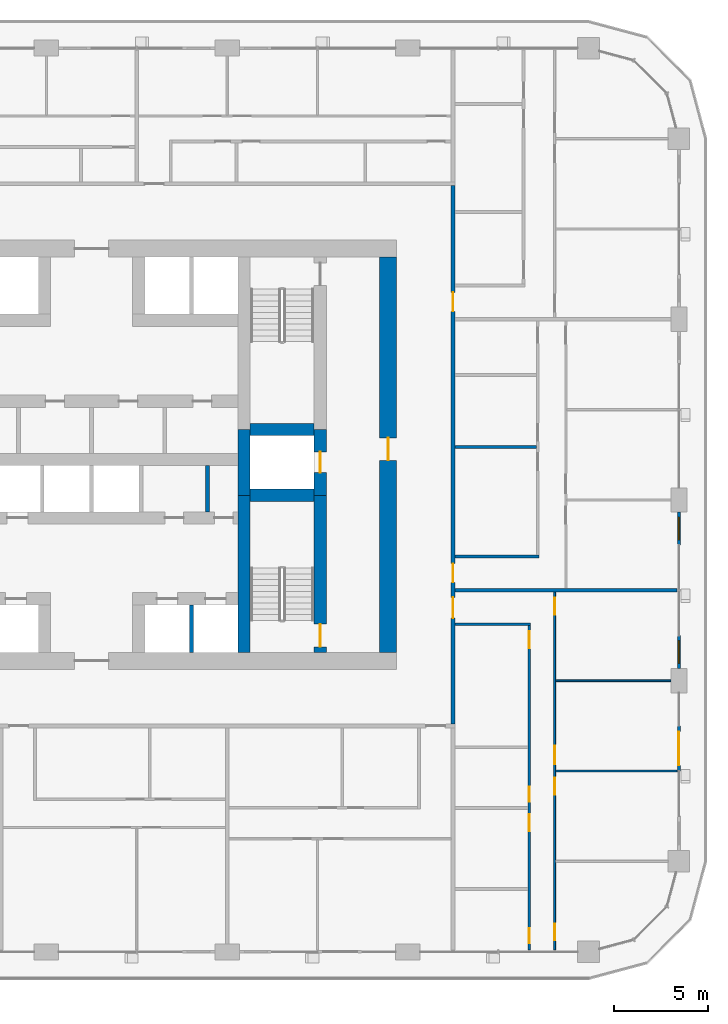
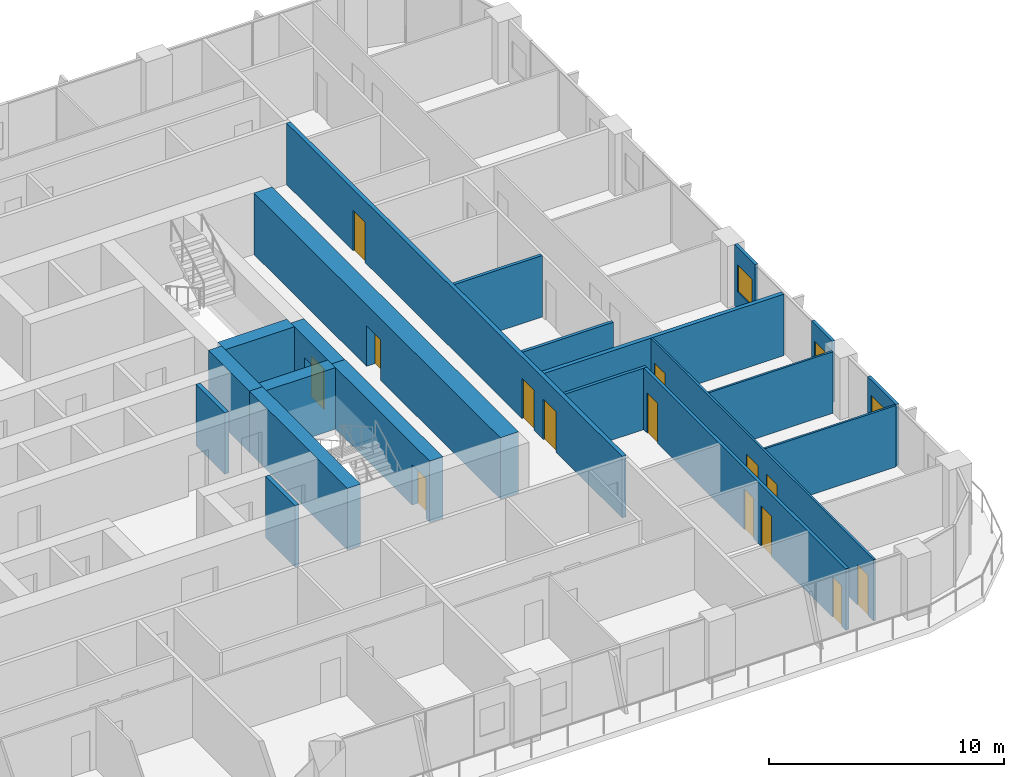
# One storey, part 12 of 22: 21 walls, 15 doors, 2 windows, 17 openings.
"""IFC4 building model written with IfcOpenShell, lengths in metres."""

from ifc_helpers import new_model, si_unit, direction, frame, frame_2d, origin, place, context, subcontext, project, spatial, rectangle, extrude, material, layer, layer_set, type_object, element, fill, save


model = new_model("IFC4")

# Units and contexts
model_context = context("Model", 3, precision=1e-05, world=origin(), true_north=direction((0.0, 1.0)))
body_context = subcontext(model_context, "Body", "Model", "MODEL_VIEW")
ifc_project = project(units=[si_unit("LENGTHUNIT", "METRE"), si_unit("AREAUNIT", "SQUARE_METRE"), si_unit("VOLUMEUNIT", "CUBIC_METRE"), si_unit("PLANEANGLEUNIT", "RADIAN"), si_unit("MASSUNIT", "GRAM", prefix="KILO")], contexts=[model_context])

# Site, building, storey
site_placement = place(None, origin())
site = spatial("IfcSite", under=ifc_project, at=site_placement, CompositionType="ELEMENT")
building_placement = place(site_placement, origin())
building = spatial("IfcBuilding", under=site, at=building_placement, Name="Madar Terraces", CompositionType="ELEMENT")
storey_placement = place(building_placement, frame((0.0, 0.0, 69.800048828125)))
storey = spatial("IfcBuildingStorey", under=building, at=storey_placement, Name="L17", CompositionType="ELEMENT", Elevation=69.800048828125)

# Walls
ifc_material_1 = material(Name="Concrete C80/95", Category="concrete")
ifc_layer_1 = layer(ifc_material_1, 0.64990234375)
ifc_layer_set_1 = layer_set([ifc_layer_1], Name="Concrete C80/95 (CIW2 RC wall 650)")
wall_type_1 = type_object("IfcWallType", Name="CIW2 RC wall 650", PredefinedType="SHEAR", material=ifc_layer_set_1)
wall_1_placement = place(storey_placement, frame((39.300048828125, 15.89990234375, 0.0), z_axis=(0.0, 0.0, 1.0), x_axis=(0.0, 1.0, 0.0)))
element("IfcWall", 1, at=wall_1_placement, inside=storey, type_object=wall_type_1, Name="CORE SHAFT WALL", PredefinedType="SHEAR", context=body_context, shape_type="SweptSolid", body=[
    extrude(rectangle(XDim=8.35009765625, YDim=0.64990234375, at=frame_2d((4.175048828125, 0.0))), origin(), (0.0, 0.0, 1.0), 3.199951171875),
])
wall_2_placement = place(storey_placement, frame((39.300048828125, 24.25, 0.0), z_axis=(0.0, 0.0, 1.0), x_axis=(0.0, 1.0, 0.0)))
element("IfcWall", 2, at=wall_2_placement, inside=storey, type_object=wall_type_1, Name="CORE SHAFT WALL", PredefinedType="SHEAR", context=body_context, shape_type="SweptSolid", body=[
    extrude(rectangle(XDim=3.5, YDim=0.64990234375, at=frame_2d((1.75, 0.0))), origin(), (0.0, 0.0, 1.0), 3.199951171875),
])

# Wall, opening, door
wall_3_placement = place(storey_placement, frame((43.35009765625, 15.89990234375, 0.0), z_axis=(0.0, 0.0, 1.0), x_axis=(0.0, 1.0, 0.0)))
wall_3 = element("IfcWall", 3, at=wall_3_placement, inside=storey, type_object=wall_type_1, Name="CORE SHAFT WALL", PredefinedType="SHEAR", context=body_context, shape_type="SweptSolid", body=[
    extrude(rectangle(XDim=8.35009765625, YDim=0.64990234375, at=frame_2d((4.175048828125, 0.0))), origin(), (0.0, 0.0, 1.0), 3.199951171875),
])
opening_1_placement = place(wall_3_placement, frame((0.300048828125, 0.0, 0.0)))
opening_1 = element("IfcOpeningElement", 4, at=opening_1_placement, cuts=wall_3, Name="Opening SD1", PredefinedType="OPENING", context=body_context, shape_type="SweptSolid", body=[
    extrude(rectangle(XDim=1.199951171875, YDim=2.10009765625, at=frame_2d((0.60009765625, 1.050048828125))), frame((0.0, 0.3349609375, 0.0), z_axis=(0.0, -1.0, 0.0), x_axis=(1.0, 0.0, 0.0)), (0.0, 0.0, 1.0), 0.669921875),
])
ifc_material_2 = material(Name="Steel door leaf", Category="steel")
door_type_1 = type_object("IfcDoorType", Name="Stair door 1200 x 2100", OperationType="NOTDEFINED", PredefinedType="DOOR", material=ifc_material_2)
door_1_placement = place(opening_1_placement, origin())
door_1 = element("IfcDoor", 5, at=door_1_placement, inside=storey, type_object=door_type_1, Name="STAIR DOOR", OperationType="SINGLE_SWING_RIGHT", OverallHeight=2.10009765625, OverallWidth=1.199951171875, PredefinedType="DOOR", context=body_context, shape_type="SweptSolid", body=[
    extrude(rectangle(XDim=1.199951171875, YDim=2.10009765625, at=frame_2d((0.60009765625, 1.050048828125))), frame((0.0, 0.02490234375, 0.0), z_axis=(0.0, -1.0, 0.0), x_axis=(1.0, 0.0, 0.0)), (0.0, 0.0, 1.0), 0.050048828125),
])
fill(opening_1, door_1)

wall_4_placement = place(storey_placement, frame((43.35009765625, 24.25, 0.0), z_axis=(0.0, 0.0, 1.0), x_axis=(0.0, 1.0, 0.0)))
wall_4 = element("IfcWall", 6, at=wall_4_placement, inside=storey, type_object=wall_type_1, Name="CORE SHAFT WALL", PredefinedType="SHEAR", context=body_context, shape_type="SweptSolid", body=[
    extrude(rectangle(XDim=3.5, YDim=0.64990234375, at=frame_2d((1.75, 0.0))), origin(), (0.0, 0.0, 1.0), 3.199951171875),
])
opening_2_placement = place(wall_4_placement, frame((1.199951171875, 0.0, 0.0)))
opening_2 = element("IfcOpeningElement", 7, at=opening_2_placement, cuts=wall_4, Name="Opening LD", PredefinedType="OPENING", context=body_context, shape_type="SweptSolid", body=[
    extrude(rectangle(XDim=1.10009765625, YDim=2.10009765625, at=frame_2d((0.550048828125, 1.050048828125))), frame((0.0, 0.3349609375, 0.0), z_axis=(0.0, -1.0, 0.0), x_axis=(1.0, 0.0, 0.0)), (0.0, 0.0, 1.0), 0.669921875),
])
ifc_material_3 = material(Name="Stainless steel panel", Category="steel")
door_type_2 = type_object("IfcDoorType", Name="Lift landing door 1100 x 2100", OperationType="DOUBLE_DOOR_SLIDING", PredefinedType="DOOR", material=ifc_material_3)
door_2_placement = place(opening_2_placement, origin())
door_2 = element("IfcDoor", 8, at=door_2_placement, inside=storey, type_object=door_type_2, Name="LIFT LANDING DOOR", OperationType="DOUBLE_DOOR_SLIDING", OverallHeight=2.10009765625, OverallWidth=1.10009765625, PredefinedType="DOOR", context=body_context, shape_type="SweptSolid", body=[
    extrude(rectangle(XDim=1.10009765625, YDim=2.10009765625, at=frame_2d((0.550048828125, 1.050048828125))), frame((0.0, 0.02490234375, 0.0), z_axis=(0.0, -1.0, 0.0), x_axis=(1.0, 0.0, 0.0)), (0.0, 0.0, 1.0), 0.050048828125),
])
fill(opening_2, door_2)

# Walls
for number, where, z_axis, x_axis, name in (
    (9, (39.625, 24.25, 0.0), (0.0, 0.0, 1.0), (1.0, 0.0, 0.0), "CORE SHAFT WALL"),
    (10, (39.625, 27.75, 0.0), (0.0, 0.0, 1.0), (1.0, 0.0, 0.0), "CORE SHAFT WALL"),
):
    element("IfcWall", number, at=place(storey_placement, frame(where, z_axis=z_axis, x_axis=x_axis)), inside=storey, type_object=wall_type_1, Name=name, PredefinedType="SHEAR", context=body_context, shape_type="SweptSolid", body=[
        extrude(rectangle(XDim=3.39990234375, YDim=0.64990234375, at=frame_2d((1.699951171875, 0.0))), origin(), (0.0, 0.0, 1.0), 3.199951171875),
    ])

# Wall, opening, door
ifc_material_4 = material(Name="Concrete C80/95", Category="concrete")
ifc_layer_2 = layer(ifc_material_4, 0.89990234375)
ifc_layer_set_2 = layer_set([ifc_layer_2], Name="Concrete C80/95 (CRW2 RC wall 900)")
wall_type_2 = type_object("IfcWallType", Name="CRW2 RC wall 900", PredefinedType="SHEAR", material=ifc_layer_set_2)
wall_5_placement = place(storey_placement, frame((46.949951171875, 15.89990234375, 0.0), z_axis=(0.0, 0.0, 1.0), x_axis=(0.0, 1.0, 0.0)))
wall_5 = element("IfcWall", 11, at=wall_5_placement, inside=storey, type_object=wall_type_2, Name="CORE OUTER WALL", PredefinedType="SHEAR", context=body_context, shape_type="SweptSolid", body=[
    extrude(rectangle(XDim=21.0, YDim=0.89990234375, at=frame_2d((10.5, 0.0))), origin(), (0.0, 0.0, 1.0), 3.199951171875),
])
opening_3_placement = place(wall_5_placement, frame((10.199951171875, 0.0, 0.0)))
opening_3 = element("IfcOpeningElement", 12, at=opening_3_placement, cuts=wall_5, Name="Opening SD1", PredefinedType="OPENING", context=body_context, shape_type="SweptSolid", body=[
    extrude(rectangle(XDim=1.199951171875, YDim=2.10009765625, at=frame_2d((0.60009765625, 1.050048828125))), frame((0.0, 0.4599609375, 0.0), z_axis=(0.0, -1.0, 0.0), x_axis=(1.0, 0.0, 0.0)), (0.0, 0.0, 1.0), 0.919921875),
])
door_3_placement = place(opening_3_placement, origin())
door_3 = element("IfcDoor", 13, at=door_3_placement, inside=storey, type_object=door_type_1, Name="STAIR DOOR", OperationType="SINGLE_SWING_LEFT", OverallHeight=2.10009765625, OverallWidth=1.199951171875, PredefinedType="DOOR", context=body_context, shape_type="SweptSolid", body=[
    extrude(rectangle(XDim=1.199951171875, YDim=2.10009765625, at=frame_2d((0.60009765625, 1.050048828125))), frame((0.0, 0.02490234375, 0.0), z_axis=(0.0, -1.0, 0.0), x_axis=(1.0, 0.0, 0.0)), (0.0, 0.0, 1.0), 0.050048828125),
])
fill(opening_3, door_3)

# Walls
ifc_material_5 = material(Name="Masonry blockwork", Category="masonry")
ifc_layer_3 = layer(ifc_material_5, 0.199951171875)
ifc_layer_set_3 = layer_set([ifc_layer_3], Name="Core partition 200 blockwork")
wall_type_3 = type_object("IfcWallType", Name="Core partition 200 blockwork", PredefinedType="PARTITIONING", material=ifc_layer_set_3)
wall_6_placement = place(storey_placement, frame((37.35888671875, 23.375, 0.0), z_axis=(0.0, 0.0, 1.0), x_axis=(0.0, 1.0, 0.0)))
element("IfcWall", 14, at=wall_6_placement, inside=storey, type_object=wall_type_3, Name="SERVICE ROOM PARTITION", PredefinedType="PARTITIONING", context=body_context, shape_type="SweptSolid", body=[
    extrude(rectangle(XDim=2.449951171875, YDim=0.199951171875, at=frame_2d((1.22509765625, 0.0))), origin(), (0.0, 0.0, 1.0), 3.199951171875),
])
ifc_material_6 = material(Name="Concrete C40/50", Category="concrete")
ifc_layer_4 = layer(ifc_material_6, 0.199951171875)
ifc_layer_set_4 = layer_set([ifc_layer_4], Name="Core shaft dividing wall 200 C40/50")
wall_type_4 = type_object("IfcWallType", Name="Core shaft dividing wall 200 C40/50", PredefinedType="SOLIDWALL", material=ifc_layer_set_4)
wall_7_placement = place(storey_placement, frame((36.5, 15.89990234375, 0.0), z_axis=(0.0, 0.0, 1.0), x_axis=(0.0, 1.0, 0.0)))
element("IfcWall", 15, at=wall_7_placement, inside=storey, type_object=wall_type_4, Name="SHAFT DIVIDING WALL", PredefinedType="SOLIDWALL", context=body_context, shape_type="SweptSolid", body=[
    extrude(rectangle(XDim=2.525146484375, YDim=0.199951171875, at=frame_2d((1.2626953125, 0.0))), origin(), (0.0, 0.0, 1.0), 3.199951171875),
])

# Wall, opening, door
ifc_material_7 = material(Name="Aluminium composite panel, black, over insulated backing", Category="aluminium")
ifc_layer_5 = layer(ifc_material_7, 0.14990234375)
ifc_layer_set_5 = layer_set([ifc_layer_5], Name="Facade bay panel 150")
wall_type_5 = type_object("IfcWallType", Name="Facade bay panel 150", PredefinedType="SOLIDWALL", material=ifc_layer_set_5)
wall_8_placement = place(storey_placement, frame((62.39990234375, 9.60009765625, 0.0), z_axis=(0.0, 0.0, 1.0), x_axis=(0.0, 1.0, 0.0)))
wall_8 = element("IfcWall", 16, at=wall_8_placement, inside=storey, type_object=wall_type_5, Name="Facade bay panel", PredefinedType="SOLIDWALL", context=body_context, shape_type="SweptSolid", body=[
    extrude(rectangle(XDim=2.39990234375, YDim=0.14990234375, at=frame_2d((1.199951171875, 0.0))), origin(), (0.0, 0.0, 1.0), 3.199951171875),
])
opening_4_placement = place(wall_8_placement, frame((0.300048828125, 0.0, 0.0)))
opening_4 = element("IfcOpeningElement", 17, at=opening_4_placement, cuts=wall_8, Name="Opening ED1", PredefinedType="OPENING", context=body_context, shape_type="SweptSolid", body=[
    extrude(rectangle(XDim=1.800048828125, YDim=2.39990234375, at=frame_2d((0.89990234375, 1.199951171875))), frame((0.0, 0.0849609375, 0.0), z_axis=(0.0, -1.0, 0.0), x_axis=(1.0, 0.0, 0.0)), (0.0, 0.0, 1.0), 0.169921875),
])
ifc_material_8 = material(Name="Glass, clear, with black aluminium frame", Category="aluminium")
door_type_3 = type_object("IfcDoorType", Name="Balcony and terrace sliding door 1800 x 2400", OperationType="SLIDING_TO_LEFT", PredefinedType="DOOR", material=ifc_material_8)
door_4_placement = place(opening_4_placement, origin())
door_4 = element("IfcDoor", 18, at=door_4_placement, inside=storey, type_object=door_type_3, Name="Balcony door", OperationType="SLIDING_TO_LEFT", OverallHeight=2.39990234375, OverallWidth=1.800048828125, PredefinedType="DOOR", context=body_context, shape_type="SweptSolid", body=[
    extrude(rectangle(XDim=1.800048828125, YDim=2.39990234375, at=frame_2d((0.89990234375, 1.199951171875))), frame((0.0, 0.02490234375, 0.0), z_axis=(0.0, -1.0, 0.0), x_axis=(1.0, 0.0, 0.0)), (0.0, 0.0, 1.0), 0.050048828125),
])
fill(opening_4, door_4)

# Wall, opening, window
wall_9_placement = place(storey_placement, frame((62.39990234375, 15.050048828125, 0.0), z_axis=(0.0, 0.0, 1.0), x_axis=(0.0, 1.0, 0.0)))
wall_9 = element("IfcWall", 19, at=wall_9_placement, inside=storey, type_object=wall_type_5, Name="Facade bay panel", PredefinedType="SOLIDWALL", context=body_context, shape_type="SweptSolid", body=[
    extrude(rectangle(XDim=1.75, YDim=0.14990234375, at=frame_2d((0.875, 0.0))), origin(), (0.0, 0.0, 1.0), 3.199951171875),
])
opening_5_placement = place(wall_9_placement, frame((0.27490234375, 0.0, 0.89990234375)))
opening_5 = element("IfcOpeningElement", 20, at=opening_5_placement, cuts=wall_9, Name="Opening W1", PredefinedType="OPENING", context=body_context, shape_type="SweptSolid", body=[
    extrude(rectangle(XDim=1.199951171875, YDim=1.39990234375, at=frame_2d((0.60009765625, 0.699951171875))), frame((0.0, 0.0849609375, 0.0), z_axis=(0.0, -1.0, 0.0), x_axis=(1.0, 0.0, 0.0)), (0.0, 0.0, 1.0), 0.169921875),
])
ifc_material_9 = material(Name="Glass, clear, with black aluminium frame", Category="aluminium")
window_type = type_object("IfcWindowType", Name="Vent window 1200 x 1400", PartitioningType="SINGLE_PANEL", PredefinedType="WINDOW", material=ifc_material_9)
window_1_placement = place(opening_5_placement, origin())
window_1 = element("IfcWindow", 21, at=window_1_placement, inside=storey, type_object=window_type, Name="Operable vent window", OverallHeight=1.39990234375, OverallWidth=1.199951171875, PartitioningType="SINGLE_PANEL", PredefinedType="WINDOW", context=body_context, shape_type="SweptSolid", body=[
    extrude(rectangle(XDim=1.199951171875, YDim=1.39990234375, at=frame_2d((0.60009765625, 0.699951171875))), frame((0.0, 0.030029296875, 0.0), z_axis=(0.0, -1.0, 0.0), x_axis=(1.0, 0.0, 0.0)), (0.0, 0.0, 1.0), 0.06005859375),
])
fill(opening_5, window_1)

wall_10_placement = place(storey_placement, frame((62.39990234375, 21.60009765625, 0.0), z_axis=(0.0, 0.0, 1.0), x_axis=(0.0, 1.0, 0.0)))
wall_10 = element("IfcWall", 22, at=wall_10_placement, inside=storey, type_object=wall_type_5, Name="Facade bay panel", PredefinedType="SOLIDWALL", context=body_context, shape_type="SweptSolid", body=[
    extrude(rectangle(XDim=1.75, YDim=0.14990234375, at=frame_2d((0.875, 0.0))), origin(), (0.0, 0.0, 1.0), 3.199951171875),
])
opening_6_placement = place(wall_10_placement, frame((0.27490234375, 0.0, 0.89990234375)))
opening_6 = element("IfcOpeningElement", 23, at=opening_6_placement, cuts=wall_10, Name="Opening W1", PredefinedType="OPENING", context=body_context, shape_type="SweptSolid", body=[
    extrude(rectangle(XDim=1.199951171875, YDim=1.39990234375, at=frame_2d((0.60009765625, 0.699951171875))), frame((0.0, 0.0849609375, 0.0), z_axis=(0.0, -1.0, 0.0), x_axis=(1.0, 0.0, 0.0)), (0.0, 0.0, 1.0), 0.169921875),
])
window_2_placement = place(opening_6_placement, origin())
window_2 = element("IfcWindow", 24, at=window_2_placement, inside=storey, type_object=window_type, Name="Operable vent window", OverallHeight=1.39990234375, OverallWidth=1.199951171875, PartitioningType="SINGLE_PANEL", PredefinedType="WINDOW", context=body_context, shape_type="SweptSolid", body=[
    extrude(rectangle(XDim=1.199951171875, YDim=1.39990234375, at=frame_2d((0.60009765625, 0.699951171875))), frame((0.0, 0.030029296875, 0.0), z_axis=(0.0, -1.0, 0.0), x_axis=(1.0, 0.0, 0.0)), (0.0, 0.0, 1.0), 0.06005859375),
])
fill(opening_6, window_2)

# Walls
ifc_material_10 = material(Name="Gypsum board on steel studs", Category="steel")
ifc_layer_6 = layer(ifc_material_10, 0.10009765625)
ifc_layer_set_6 = layer_set([ifc_layer_6], Name="Flat partition 100")
wall_type_6 = type_object("IfcWallType", Name="Flat partition 100", PredefinedType="PARTITIONING", material=ifc_layer_set_6)
wall_11_placement = place(storey_placement, frame((55.85009765625, 14.39990234375, 0.0), z_axis=(0.0, 0.0, 1.0), x_axis=(1.0, 0.0, 0.0)))
element("IfcWall", 25, at=wall_11_placement, inside=storey, type_object=wall_type_6, Name="Flat partition 100", PredefinedType="PARTITIONING", context=body_context, shape_type="SweptSolid", body=[
    extrude(rectangle(XDim=6.125, YDim=0.10009765625, at=frame_2d((3.0625, 0.0))), origin(), (0.0, 0.0, 1.0), 3.199951171875),
])
wall_12_placement = place(storey_placement, frame((55.85009765625, 9.60009765625, 0.0), z_axis=(0.0, 0.0, 1.0), x_axis=(1.0, 0.0, 0.0)))
element("IfcWall", 26, at=wall_12_placement, inside=storey, type_object=wall_type_6, Name="Flat partition 100", PredefinedType="PARTITIONING", context=body_context, shape_type="SweptSolid", body=[
    extrude(rectangle(XDim=6.449951171875, YDim=0.10009765625, at=frame_2d((3.22509765625, 0.0))), origin(), (0.0, 0.0, 1.0), 3.199951171875),
])

# Wall, openings, doors
wall_13_placement = place(storey_placement, frame((55.800048828125, 19.10009765625, 0.0), z_axis=(0.0, 0.0, 1.0), x_axis=(0.0, -1.0, 0.0)))
wall_13 = element("IfcWall", 27, at=wall_13_placement, inside=storey, type_object=wall_type_6, Name="Flat partition 100", PredefinedType="PARTITIONING", context=body_context, shape_type="SweptSolid", body=[
    extrude(rectangle(XDim=19.0, YDim=0.10009765625, at=frame_2d((9.5, 0.0))), origin(), (0.0, 0.0, 1.0), 3.199951171875),
])
opening_7_placement = place(wall_13_placement, frame((0.300048828125, 0.0, 0.0)))
opening_7 = element("IfcOpeningElement", 28, at=opening_7_placement, cuts=wall_13, Name="Opening D2", PredefinedType="OPENING", context=body_context, shape_type="SweptSolid", body=[
    extrude(rectangle(XDim=0.89990234375, YDim=2.10009765625, at=frame_2d((0.449951171875, 1.050048828125))), frame((0.0, 0.06005859375, 0.0), z_axis=(0.0, -1.0, 0.0), x_axis=(1.0, 0.0, 0.0)), (0.0, 0.0, 1.0), 0.1201171875),
])
opening_8_placement = place(wall_13_placement, frame((8.14990234375, 0.0, 0.0)))
opening_8 = element("IfcOpeningElement", 29, at=opening_8_placement, cuts=wall_13, Name="Opening D3", PredefinedType="OPENING", context=body_context, shape_type="SweptSolid", body=[
    extrude(rectangle(XDim=1.0, YDim=2.10009765625, at=frame_2d((0.5, 1.050048828125))), frame((0.0, 0.06005859375, 0.0), z_axis=(0.0, -1.0, 0.0), x_axis=(1.0, 0.0, 0.0)), (0.0, 0.0, 1.0), 0.1201171875),
])
opening_9_placement = place(wall_13_placement, frame((9.85009765625, 0.0, 0.0)))
opening_9 = element("IfcOpeningElement", 30, at=opening_9_placement, cuts=wall_13, Name="Opening D2", PredefinedType="OPENING", context=body_context, shape_type="SweptSolid", body=[
    extrude(rectangle(XDim=0.89990234375, YDim=2.10009765625, at=frame_2d((0.449951171875, 1.050048828125))), frame((0.0, 0.06005859375, 0.0), z_axis=(0.0, -1.0, 0.0), x_axis=(1.0, 0.0, 0.0)), (0.0, 0.0, 1.0), 0.1201171875),
])
opening_10_placement = place(wall_13_placement, frame((17.60009765625, 0.0, 0.0)))
opening_10 = element("IfcOpeningElement", 31, at=opening_10_placement, cuts=wall_13, Name="Opening D2", PredefinedType="OPENING", context=body_context, shape_type="SweptSolid", body=[
    extrude(rectangle(XDim=0.89990234375, YDim=2.10009765625, at=frame_2d((0.449951171875, 1.050048828125))), frame((0.0, 0.06005859375, 0.0), z_axis=(0.0, -1.0, 0.0), x_axis=(1.0, 0.0, 0.0)), (0.0, 0.0, 1.0), 0.1201171875),
])
ifc_material_11 = material(Name="Timber door leaf", Category="wood")
door_type_4 = type_object("IfcDoorType", Name="Flat living room door 1000", OperationType="NOTDEFINED", PredefinedType="DOOR", material=ifc_material_11)
door_5_placement = place(opening_8_placement, origin())
door_5 = element("IfcDoor", 32, at=door_5_placement, inside=storey, type_object=door_type_4, Name="Flat living room door 1000", OperationType="SINGLE_SWING_RIGHT", OverallHeight=2.10009765625, OverallWidth=1.0, PredefinedType="DOOR", context=body_context, shape_type="SweptSolid", body=[
    extrude(rectangle(XDim=1.0, YDim=2.10009765625, at=frame_2d((0.5, 1.050048828125))), frame((0.0, 0.02490234375, 0.0), z_axis=(0.0, -1.0, 0.0), x_axis=(1.0, 0.0, 0.0)), (0.0, 0.0, 1.0), 0.050048828125),
])
fill(opening_8, door_5)
ifc_material_12 = material(Name="Timber door leaf", Category="wood")
door_type_5 = type_object("IfcDoorType", Name="Flat room door 900", OperationType="NOTDEFINED", PredefinedType="DOOR", material=ifc_material_12)
door_6_placement = place(opening_7_placement, origin())
door_6 = element("IfcDoor", 33, at=door_6_placement, inside=storey, type_object=door_type_5, Name="Flat room door 900", OperationType="SINGLE_SWING_LEFT", OverallHeight=2.10009765625, OverallWidth=0.89990234375, PredefinedType="DOOR", context=body_context, shape_type="SweptSolid", body=[
    extrude(rectangle(XDim=0.89990234375, YDim=2.10009765625, at=frame_2d((0.449951171875, 1.050048828125))), frame((0.0, 0.02490234375, 0.0), z_axis=(0.0, -1.0, 0.0), x_axis=(1.0, 0.0, 0.0)), (0.0, 0.0, 1.0), 0.050048828125),
])
fill(opening_7, door_6)
door_7_placement = place(opening_9_placement, origin())
door_7 = element("IfcDoor", 34, at=door_7_placement, inside=storey, type_object=door_type_5, Name="Flat room door 900", OperationType="SINGLE_SWING_LEFT", OverallHeight=2.10009765625, OverallWidth=0.89990234375, PredefinedType="DOOR", context=body_context, shape_type="SweptSolid", body=[
    extrude(rectangle(XDim=0.89990234375, YDim=2.10009765625, at=frame_2d((0.449951171875, 1.050048828125))), frame((0.0, 0.02490234375, 0.0), z_axis=(0.0, -1.0, 0.0), x_axis=(1.0, 0.0, 0.0)), (0.0, 0.0, 1.0), 0.050048828125),
])
fill(opening_9, door_7)
door_8_placement = place(opening_10_placement, origin())
door_8 = element("IfcDoor", 35, at=door_8_placement, inside=storey, type_object=door_type_5, Name="Flat room door 900", OperationType="SINGLE_SWING_RIGHT", OverallHeight=2.10009765625, OverallWidth=0.89990234375, PredefinedType="DOOR", context=body_context, shape_type="SweptSolid", body=[
    extrude(rectangle(XDim=0.89990234375, YDim=2.10009765625, at=frame_2d((0.449951171875, 1.050048828125))), frame((0.0, 0.02490234375, 0.0), z_axis=(0.0, -1.0, 0.0), x_axis=(1.0, 0.0, 0.0)), (0.0, 0.0, 1.0), 0.050048828125),
])
fill(opening_10, door_8)

ifc_material_13 = material(Name="Lightweight blockwork", Category="masonry")
ifc_layer_7 = layer(ifc_material_13, 0.199951171875)
ifc_layer_set_7 = layer_set([ifc_layer_7], Name="Flat party and entrance wall 200")
wall_type_7 = type_object("IfcWallType", Name="Flat party and entrance wall 200", PredefinedType="PARTITIONING", material=ifc_layer_set_7)
wall_14_placement = place(storey_placement, frame((50.39990234375, 40.699951171875, 0.0), z_axis=(0.0, 0.0, 1.0), x_axis=(0.0, -1.0, 0.0)))
wall_14 = element("IfcWall", 36, at=wall_14_placement, inside=storey, type_object=wall_type_7, Name="Flat party and entrance wall 200", PredefinedType="PARTITIONING", context=body_context, shape_type="SweptSolid", body=[
    extrude(rectangle(XDim=28.599853515625, YDim=0.199951171875, at=frame_2d((14.2998046875, 0.0))), origin(), (0.0, 0.0, 1.0), 3.199951171875),
])
opening_11_placement = place(wall_14_placement, frame((21.875, 0.0, 0.0)))
opening_11 = element("IfcOpeningElement", 37, at=opening_11_placement, cuts=wall_14, Name="Opening D6", PredefinedType="OPENING", context=body_context, shape_type="SweptSolid", body=[
    extrude(rectangle(XDim=1.10009765625, YDim=2.10009765625, at=frame_2d((0.550048828125, 1.050048828125))), frame((0.0, 0.10986328125, 0.0), z_axis=(0.0, -1.0, 0.0), x_axis=(1.0, 0.0, 0.0)), (0.0, 0.0, 1.0), 0.219970703125),
])
opening_12_placement = place(wall_14_placement, frame((20.074951171875, 0.0, 0.0)))
opening_12 = element("IfcOpeningElement", 38, at=opening_12_placement, cuts=wall_14, Name="Opening D1", PredefinedType="OPENING", context=body_context, shape_type="SweptSolid", body=[
    extrude(rectangle(XDim=1.0, YDim=2.10009765625, at=frame_2d((0.5, 1.050048828125))), frame((0.0, 0.10986328125, 0.0), z_axis=(0.0, -1.0, 0.0), x_axis=(1.0, 0.0, 0.0)), (0.0, 0.0, 1.0), 0.219970703125),
])
opening_13_placement = place(wall_14_placement, frame((5.675048828125, 0.0, 0.0)))
opening_13 = element("IfcOpeningElement", 39, at=opening_13_placement, cuts=wall_14, Name="Opening D1", PredefinedType="OPENING", context=body_context, shape_type="SweptSolid", body=[
    extrude(rectangle(XDim=1.0, YDim=2.10009765625, at=frame_2d((0.5, 1.050048828125))), frame((0.0, 0.10986328125, 0.0), z_axis=(0.0, -1.0, 0.0), x_axis=(1.0, 0.0, 0.0)), (0.0, 0.0, 1.0), 0.219970703125),
])
ifc_material_14 = material(Name="Timber fire door leaf", Category="wood")
door_type_6 = type_object("IfcDoorType", Name="Flat entrance door 1000 FD30S", OperationType="NOTDEFINED", PredefinedType="DOOR", material=ifc_material_14)
door_9_placement = place(opening_12_placement, origin())
door_9 = element("IfcDoor", 40, at=door_9_placement, inside=storey, type_object=door_type_6, Name="Flat entrance door 1000 FD30S", OperationType="SINGLE_SWING_RIGHT", OverallHeight=2.10009765625, OverallWidth=1.0, PredefinedType="DOOR", context=body_context, shape_type="SweptSolid", body=[
    extrude(rectangle(XDim=1.0, YDim=2.10009765625, at=frame_2d((0.5, 1.050048828125))), frame((0.0, 0.02490234375, 0.0), z_axis=(0.0, -1.0, 0.0), x_axis=(1.0, 0.0, 0.0)), (0.0, 0.0, 1.0), 0.050048828125),
])
fill(opening_12, door_9)
door_10_placement = place(opening_13_placement, origin())
door_10 = element("IfcDoor", 41, at=door_10_placement, inside=storey, type_object=door_type_6, Name="Flat entrance door 1000 FD30S", OperationType="SINGLE_SWING_RIGHT", OverallHeight=2.10009765625, OverallWidth=1.0, PredefinedType="DOOR", context=body_context, shape_type="SweptSolid", body=[
    extrude(rectangle(XDim=1.0, YDim=2.10009765625, at=frame_2d((0.5, 1.050048828125))), frame((0.0, 0.02490234375, 0.0), z_axis=(0.0, -1.0, 0.0), x_axis=(1.0, 0.0, 0.0)), (0.0, 0.0, 1.0), 0.050048828125),
])
fill(opening_13, door_10)
ifc_material_15 = material(Name="Timber fire door leaf", Category="wood")
door_type_7 = type_object("IfcDoorType", Name="Flat entrance door 1100 FD30S", OperationType="NOTDEFINED", PredefinedType="DOOR", material=ifc_material_15)
door_11_placement = place(opening_11_placement, origin())
door_11 = element("IfcDoor", 42, at=door_11_placement, inside=storey, type_object=door_type_7, Name="Flat entrance door 1100 FD30S", OperationType="SINGLE_SWING_LEFT", OverallHeight=2.10009765625, OverallWidth=1.10009765625, PredefinedType="DOOR", context=body_context, shape_type="SweptSolid", body=[
    extrude(rectangle(XDim=1.10009765625, YDim=2.10009765625, at=frame_2d((0.550048828125, 1.050048828125))), frame((0.0, 0.02490234375, 0.0), z_axis=(0.0, -1.0, 0.0), x_axis=(1.0, 0.0, 0.0)), (0.0, 0.0, 1.0), 0.050048828125),
])
fill(opening_11, door_11)

# Walls
wall_15_placement = place(storey_placement, frame((50.5, 19.199951171875, 0.0), z_axis=(0.0, 0.0, 1.0), x_axis=(1.0, 0.0, 0.0)))
element("IfcWall", 43, at=wall_15_placement, inside=storey, type_object=wall_type_7, Name="Flat party and entrance wall 200", PredefinedType="PARTITIONING", context=body_context, shape_type="SweptSolid", body=[
    extrude(rectangle(XDim=11.800048828125, YDim=0.199951171875, at=frame_2d((5.89990234375, 0.0))), origin(), (0.0, 0.0, 1.0), 3.199951171875),
])
ifc_material_16 = material(Name="Lightweight blockwork", Category="masonry")
ifc_layer_8 = layer(ifc_material_16, 0.14990234375)
ifc_layer_set_8 = layer_set([ifc_layer_8], Name="Flat wet-room partition 150")
wall_type_8 = type_object("IfcWallType", Name="Flat wet-room partition 150", PredefinedType="PARTITIONING", material=ifc_layer_set_8)
wall_16_placement = place(storey_placement, frame((50.5, 17.39990234375, 0.0), z_axis=(0.0, 0.0, 1.0), x_axis=(1.0, 0.0, 0.0)))
element("IfcWall", 44, at=wall_16_placement, inside=storey, type_object=wall_type_8, Name="Flat wet-room partition 150", PredefinedType="PARTITIONING", context=body_context, shape_type="SweptSolid", body=[
    extrude(rectangle(XDim=4.02490234375, YDim=0.14990234375, at=frame_2d((2.012451171875, 0.0))), origin(), (0.0, 0.0, 1.0), 3.199951171875),
])

# Wall, openings, doors
wall_17_placement = place(storey_placement, frame((54.449951171875, 0.10009765625, 0.0), z_axis=(0.0, 0.0, 1.0), x_axis=(0.0, 1.0, 0.0)))
wall_17 = element("IfcWall", 45, at=wall_17_placement, inside=storey, type_object=wall_type_8, Name="Flat wet-room partition 150", PredefinedType="PARTITIONING", context=body_context, shape_type="SweptSolid", body=[
    extrude(rectangle(XDim=17.224853515625, YDim=0.14990234375, at=frame_2d((8.6123046875, 0.0))), origin(), (0.0, 0.0, 1.0), 3.199951171875),
])
opening_14_placement = place(wall_17_placement, frame((16.02490234375, 0.0, 0.0)))
opening_14 = element("IfcOpeningElement", 46, at=opening_14_placement, cuts=wall_17, Name="Opening D2", PredefinedType="OPENING", context=body_context, shape_type="SweptSolid", body=[
    extrude(rectangle(XDim=0.89990234375, YDim=2.10009765625, at=frame_2d((0.449951171875, 1.050048828125))), frame((0.0, 0.0849609375, 0.0), z_axis=(0.0, -1.0, 0.0), x_axis=(1.0, 0.0, 0.0)), (0.0, 0.0, 1.0), 0.169921875),
])
opening_15_placement = place(wall_17_placement, frame((7.86083984375, 0.0, 0.0)))
opening_15 = element("IfcOpeningElement", 47, at=opening_15_placement, cuts=wall_17, Name="Opening D7", PredefinedType="OPENING", context=body_context, shape_type="SweptSolid", body=[
    extrude(rectangle(XDim=0.800048828125, YDim=2.10009765625, at=frame_2d((0.39990234375, 1.050048828125))), frame((0.0, 0.0849609375, 0.0), z_axis=(0.0, -1.0, 0.0), x_axis=(1.0, 0.0, 0.0)), (0.0, 0.0, 1.0), 0.169921875),
])
opening_16_placement = place(wall_17_placement, frame((6.310791015625, 0.0, 0.0)))
opening_16 = element("IfcOpeningElement", 48, at=opening_16_placement, cuts=wall_17, Name="Opening D5", PredefinedType="OPENING", context=body_context, shape_type="SweptSolid", body=[
    extrude(rectangle(XDim=0.89990234375, YDim=2.10009765625, at=frame_2d((0.449951171875, 1.050048828125))), frame((0.0, 0.0849609375, 0.0), z_axis=(0.0, -1.0, 0.0), x_axis=(1.0, 0.0, 0.0)), (0.0, 0.0, 1.0), 0.169921875),
])
opening_17_placement = place(wall_17_placement, frame((0.35009765625, 0.0, 0.0)))
opening_17 = element("IfcOpeningElement", 49, at=opening_17_placement, cuts=wall_17, Name="Opening D4", PredefinedType="OPENING", context=body_context, shape_type="SweptSolid", body=[
    extrude(rectangle(XDim=0.800048828125, YDim=2.10009765625, at=frame_2d((0.39990234375, 1.050048828125))), frame((0.0, 0.0849609375, 0.0), z_axis=(0.0, -1.0, 0.0), x_axis=(1.0, 0.0, 0.0)), (0.0, 0.0, 1.0), 0.169921875),
])
ifc_material_17 = material(Name="Timber door leaf", Category="wood")
door_type_8 = type_object("IfcDoorType", Name="Flat accessible bathroom door 900", OperationType="NOTDEFINED", PredefinedType="DOOR", material=ifc_material_17)
door_12_placement = place(opening_16_placement, origin())
door_12 = element("IfcDoor", 50, at=door_12_placement, inside=storey, type_object=door_type_8, Name="Flat accessible bathroom door 900", OperationType="SINGLE_SWING_RIGHT", OverallHeight=2.10009765625, OverallWidth=0.89990234375, PredefinedType="DOOR", context=body_context, shape_type="SweptSolid", body=[
    extrude(rectangle(XDim=0.89990234375, YDim=2.10009765625, at=frame_2d((0.449951171875, 1.050048828125))), frame((0.0, 0.02490234375, 0.0), z_axis=(0.0, -1.0, 0.0), x_axis=(1.0, 0.0, 0.0)), (0.0, 0.0, 1.0), 0.050048828125),
])
fill(opening_16, door_12)
ifc_material_18 = material(Name="Timber door leaf", Category="wood")
door_type_9 = type_object("IfcDoorType", Name="Flat bathroom door 800", OperationType="NOTDEFINED", PredefinedType="DOOR", material=ifc_material_18)
door_13_placement = place(opening_17_placement, origin())
door_13 = element("IfcDoor", 51, at=door_13_placement, inside=storey, type_object=door_type_9, Name="Flat bathroom door 800", OperationType="SINGLE_SWING_LEFT", OverallHeight=2.10009765625, OverallWidth=0.800048828125, PredefinedType="DOOR", context=body_context, shape_type="SweptSolid", body=[
    extrude(rectangle(XDim=0.800048828125, YDim=2.10009765625, at=frame_2d((0.39990234375, 1.050048828125))), frame((0.0, 0.02490234375, 0.0), z_axis=(0.0, -1.0, 0.0), x_axis=(1.0, 0.0, 0.0)), (0.0, 0.0, 1.0), 0.050048828125),
])
fill(opening_17, door_13)
door_14_placement = place(opening_14_placement, origin())
door_14 = element("IfcDoor", 52, at=door_14_placement, inside=storey, type_object=door_type_5, Name="Flat room door 900", OperationType="SINGLE_SWING_RIGHT", OverallHeight=2.10009765625, OverallWidth=0.89990234375, PredefinedType="DOOR", context=body_context, shape_type="SweptSolid", body=[
    extrude(rectangle(XDim=0.89990234375, YDim=2.10009765625, at=frame_2d((0.449951171875, 1.050048828125))), frame((0.0, 0.02490234375, 0.0), z_axis=(0.0, -1.0, 0.0), x_axis=(1.0, 0.0, 0.0)), (0.0, 0.0, 1.0), 0.050048828125),
])
fill(opening_14, door_14)
ifc_material_19 = material(Name="Timber door leaf", Category="wood")
door_type_10 = type_object("IfcDoorType", Name="Flat utility door 800", OperationType="NOTDEFINED", PredefinedType="DOOR", material=ifc_material_19)
door_15_placement = place(opening_15_placement, origin())
door_15 = element("IfcDoor", 53, at=door_15_placement, inside=storey, type_object=door_type_10, Name="Flat utility door 800", OperationType="SINGLE_SWING_LEFT", OverallHeight=2.10009765625, OverallWidth=0.800048828125, PredefinedType="DOOR", context=body_context, shape_type="SweptSolid", body=[
    extrude(rectangle(XDim=0.800048828125, YDim=2.10009765625, at=frame_2d((0.39990234375, 1.050048828125))), frame((0.0, 0.02490234375, 0.0), z_axis=(0.0, -1.0, 0.0), x_axis=(1.0, 0.0, 0.0)), (0.0, 0.0, 1.0), 0.050048828125),
])
fill(opening_15, door_15)

# Walls
wall_18_placement = place(storey_placement, frame((50.5, 26.8095703125, 0.0), z_axis=(0.0, 0.0, 1.0), x_axis=(1.0, 0.0, 0.0)))
element("IfcWall", 54, at=wall_18_placement, inside=storey, type_object=wall_type_8, Name="Flat wet-room partition 150", PredefinedType="PARTITIONING", context=body_context, shape_type="SweptSolid", body=[
    extrude(rectangle(XDim=4.324951171875, YDim=0.14990234375, at=frame_2d((2.16259765625, 0.0))), origin(), (0.0, 0.0, 1.0), 3.199951171875),
])
wall_19_placement = place(storey_placement, frame((50.5, 21.0, 0.0), z_axis=(0.0, 0.0, 1.0), x_axis=(1.0, 0.0, 0.0)))
element("IfcWall", 55, at=wall_19_placement, inside=storey, type_object=wall_type_8, Name="Flat wet-room partition 150", PredefinedType="PARTITIONING", context=body_context, shape_type="SweptSolid", body=[
    extrude(rectangle(XDim=4.47509765625, YDim=0.14990234375, at=frame_2d((2.237548828125, 0.0))), origin(), (0.0, 0.0, 1.0), 3.199951171875),
])

save(model, "model.ifc")
